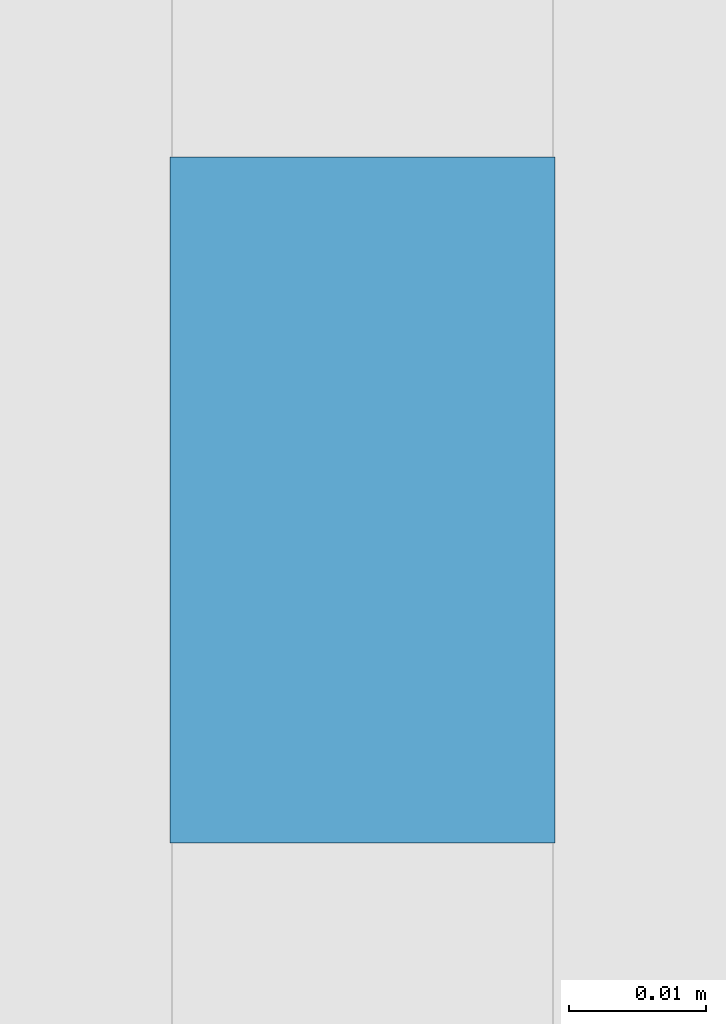
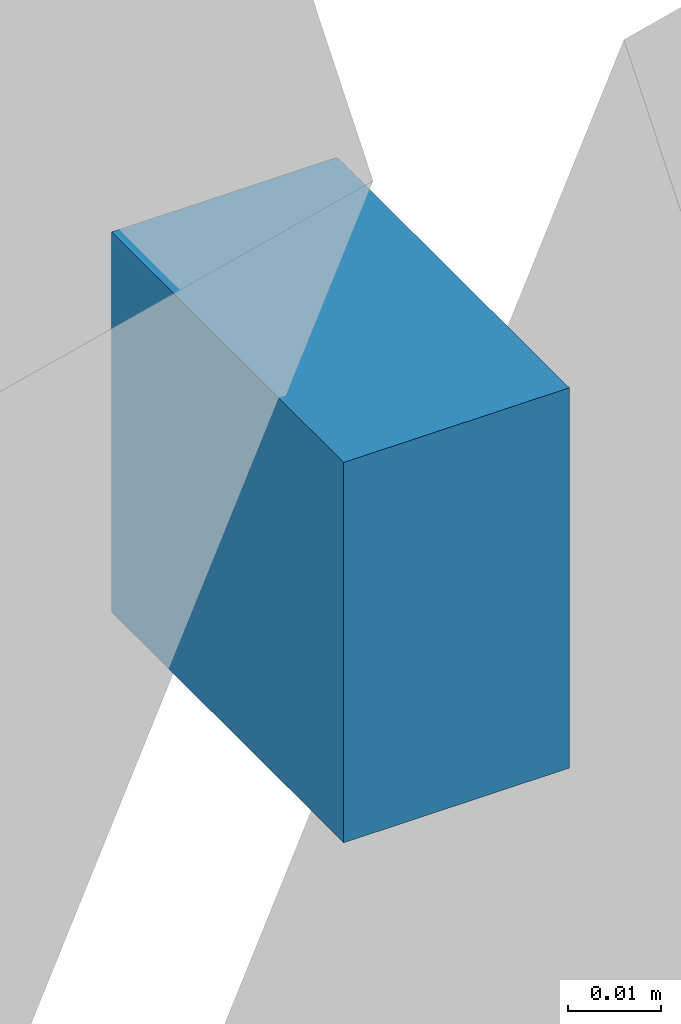
# One storey, part 20 of 26: 1 discrete accessory, 1 element without a shape of its own.
"""IFC4 building model written with IfcOpenShell, lengths in metres."""

from ifc_helpers import new_model, si_unit, direction, frame, origin, origin_2d, place, context, subcontext, project, spatial, rectangle, extrude, material, type_object, element, aggregate, save


model = new_model("IFC4")

# Units and contexts
model_context = context("Model", 3, precision=1e-05, world=origin(), true_north=direction((0.0, 1.0)))
body_context = subcontext(model_context, "Body", "Model", "MODEL_VIEW")
ifc_project = project(units=[si_unit("LENGTHUNIT", "METRE"), si_unit("AREAUNIT", "SQUARE_METRE"), si_unit("VOLUMEUNIT", "CUBIC_METRE"), si_unit("PLANEANGLEUNIT", "RADIAN"), si_unit("MASSUNIT", "GRAM", prefix="KILO")], contexts=[model_context])

# Site, building, storey
site_placement = place(None, origin())
site = spatial("IfcSite", under=ifc_project, at=site_placement, CompositionType="ELEMENT")
building_placement = place(site_placement, origin())
building = spatial("IfcBuilding", under=site, at=building_placement, Name="Tessera Arch", CompositionType="ELEMENT")
storey_placement = place(building_placement, frame((0.0, 0.0, 96.800048828125)))
storey = spatial("IfcBuildingStorey", under=building, at=storey_placement, Name="L22", CompositionType="ELEMENT", Elevation=96.800048828125)

# Curtain wall, discrete accessory
ifc_material = material(Name="CW3 curtain wall")
curtain_wall_type = type_object("IfcCurtainWallType", Name="CW3 curtain wall", PredefinedType="NOTDEFINED", material=ifc_material)
curtain_wall_placement = place(storey_placement, origin())
curtain_wall = element("IfcCurtainWall", 1, at=curtain_wall_placement, inside=storey, type_object=curtain_wall_type, Name="CW3 curtain wall E54.0/1 L22", PredefinedType="NOTDEFINED")
discrete_accessory_placement = place(storey_placement, frame((54.0439453125, 14.010986328125, 1.0537109375), z_axis=(0.0, 0.0, 1.0), x_axis=(0.0, 1.0, 0.0)))
discrete_accessory = element("IfcDiscreteAccessory", 2, at=discrete_accessory_placement, Name="Glazing bracket", PredefinedType="BRACKET", context=body_context, shape_type="SweptSolid", body=[
    extrude(rectangle(XDim=0.050048828125, YDim=0.028076171875, at=origin_2d()), origin(), (0.0, 0.0, 1.0), 0.050048828125),
])
aggregate(curtain_wall, [discrete_accessory])

save(model, "model.ifc")
